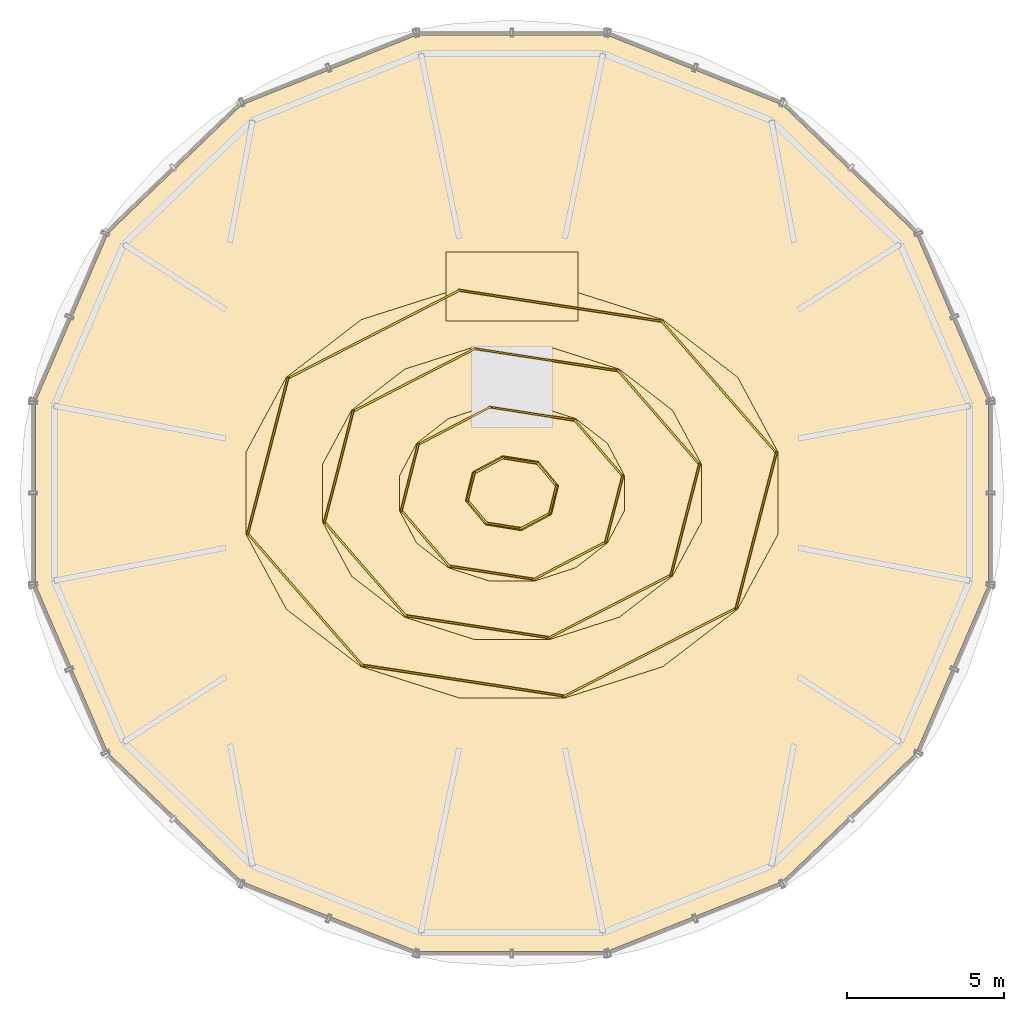
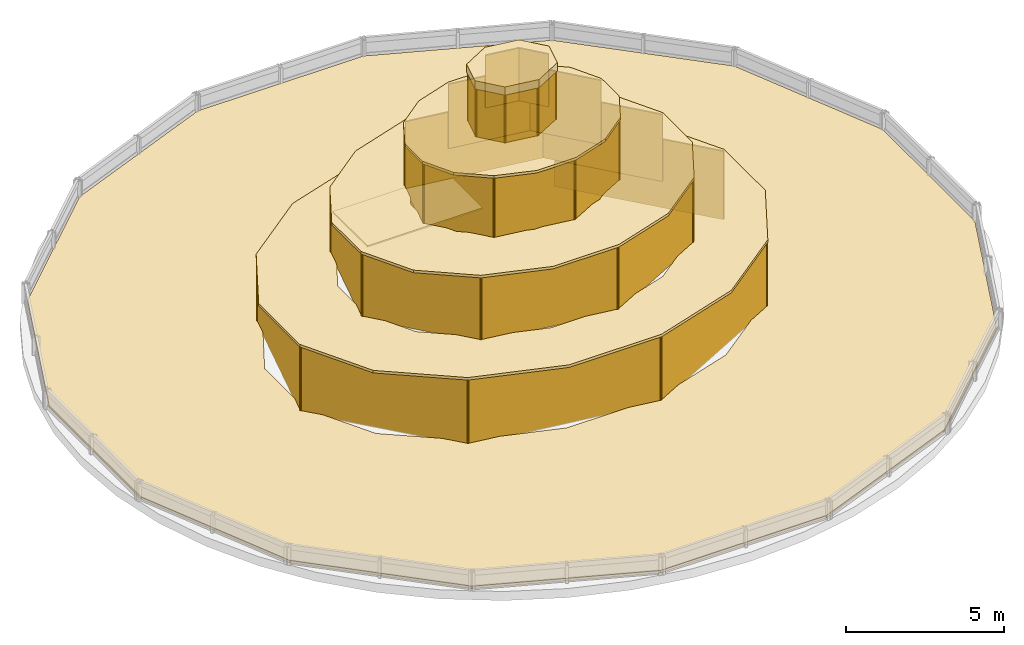
# One storey, part 8 of 8: 38 coverings.
"""IFC4 building model written with IfcOpenShell, lengths in metres."""

from ifc_helpers import new_model, si_unit, direction, frame, origin, origin_2d, place, context, subcontext, project, spatial, polyline, rectangle, outline, extrude, source, transform, mapped, material, layer, layer_set, type_object, element, save


model = new_model("IFC4")

# Units and contexts
model_context = context("Model", 3, precision=1e-05, world=origin(), true_north=direction((-0.2419218956, 0.970295726276)))
body_context = subcontext(model_context, "Body", "Model", "MODEL_VIEW")
ifc_project = project(units=[si_unit("LENGTHUNIT", "METRE"), si_unit("AREAUNIT", "SQUARE_METRE"), si_unit("VOLUMEUNIT", "CUBIC_METRE"), si_unit("PLANEANGLEUNIT", "RADIAN"), si_unit("MASSUNIT", "GRAM", prefix="KILO")], contexts=[model_context])

# Site, building, storey
site_placement = place(None, origin())
site = spatial("IfcSite", under=ifc_project, at=site_placement, CompositionType="ELEMENT")
building_placement = place(site_placement, origin())
building = spatial("IfcBuilding", under=site, at=building_placement, Name="Cobrevalo Terracotta Tower", CompositionType="ELEMENT")
storey_placement = place(building_placement, frame((0.0, 0.0, 337.300048828125)))
storey = spatial("IfcBuildingStorey", under=building, at=storey_placement, Name="RF", CompositionType="ELEMENT", Elevation=337.300048828125)

# Coverings
ifc_material_1 = material(Name="Structural laminated low-iron crown glass", Category="glass")
ifc_layer_1 = layer(ifc_material_1, 0.048095703125)
ifc_layer_set_1 = layer_set([ifc_layer_1], Name="Structural laminated low-iron crown glass")
covering_type_1 = type_object("IfcCoveringType", Name="Structural laminated low-iron faceted crown glass 48 mm", PredefinedType="CLADDING", material=ifc_layer_set_1)
covering_1_placement = place(storey_placement, frame((0.0, 0.0, -0.0400390625)))
element("IfcCovering", 1, at=covering_1_placement, inside=storey, type_object=covering_type_1, Name="RF faceted glass-point crown step collar T1", PredefinedType="CLADDING", context=body_context, shape_type="SweptSolid", body=[
    extrude(outline(polyline([(53.2119140625, 29.708740234375), (50.89599609375, 35.08349609375), (46.616943359375, 39.197265625), (41.02587890625, 41.423583984375), (34.97412109375, 41.423583984375), (29.383056640625, 39.197265625), (25.10400390625, 35.08349609375), (22.7880859375, 29.708740234375), (22.7880859375, 23.89111328125), (25.10400390625, 18.516357421875), (29.383056640625, 14.40283203125), (34.97412109375, 12.176513671875), (41.02587890625, 12.176513671875), (46.616943359375, 14.40283203125), (50.89599609375, 18.516357421875), (53.2119140625, 23.89111328125), (53.2119140625, 29.708740234375)]), holes=[polyline([(46.29736328125, 28.060302734375), (45.0341796875, 30.388916015625), (42.7001953125, 32.17138671875), (39.650390625, 33.135986328125), (36.349609375, 33.135986328125), (33.2998046875, 32.17138671875), (30.9658203125, 30.388916015625), (29.70263671875, 28.060302734375), (29.70263671875, 25.539794921875), (30.9658203125, 23.2109375), (33.2998046875, 21.4287109375), (36.349609375, 20.464111328125), (39.650390625, 20.464111328125), (42.7001953125, 21.4287109375), (45.0341796875, 23.2109375), (46.29736328125, 25.539794921875), (46.29736328125, 28.060302734375)])]), origin(), (0.0, 0.0, 1.0), 0.10009765625),
])
covering_2_placement = place(storey_placement, frame((0.0, 0.0, 2.52001953125)))
element("IfcCovering", 2, at=covering_2_placement, inside=storey, type_object=covering_type_1, Name="RF faceted glass-point crown step collar T2", PredefinedType="CLADDING", context=body_context, shape_type="SweptSolid", body=[
    extrude(outline(polyline([(46.49365234375, 28.099365234375), (45.200439453125, 30.5), (42.811279296875, 32.337646484375), (39.689453125, 33.33203125), (36.310546875, 33.33203125), (33.188720703125, 32.337646484375), (30.799560546875, 30.5), (29.50634765625, 28.099365234375), (29.50634765625, 25.500732421875), (30.799560546875, 23.099853515625), (33.188720703125, 21.262451171875), (36.310546875, 20.26806640625), (39.689453125, 20.26806640625), (42.811279296875, 21.262451171875), (45.200439453125, 23.099853515625), (46.49365234375, 25.500732421875), (46.49365234375, 28.099365234375)]), holes=[polyline([(43.845458984375, 27.689697265625), (42.95556640625, 29.33349609375), (41.311279296875, 30.591552734375), (39.162841796875, 31.2724609375), (36.837158203125, 31.2724609375), (34.688720703125, 30.591552734375), (33.04443359375, 29.33349609375), (32.154541015625, 27.689697265625), (32.154541015625, 25.910400390625), (33.04443359375, 24.2666015625), (34.688720703125, 23.008544921875), (36.837158203125, 22.32763671875), (39.162841796875, 22.32763671875), (41.311279296875, 23.008544921875), (42.95556640625, 24.2666015625), (43.845458984375, 25.910400390625), (43.845458984375, 27.689697265625)])]), origin(), (0.0, 0.0, 1.0), 0.099853515625),
])
covering_3_placement = place(storey_placement, frame((0.0, 0.0, 5.02001953125)))
element("IfcCovering", 3, at=covering_3_placement, inside=storey, type_object=covering_type_1, Name="RF faceted glass-point crown step collar T3", PredefinedType="CLADDING", context=body_context, shape_type="SweptSolid", body=[
    extrude(outline(polyline([(44.041748046875, 27.728515625), (43.121826171875, 29.444580078125), (41.42236328125, 30.7578125), (39.20166015625, 31.468505859375), (36.79833984375, 31.468505859375), (34.57763671875, 30.7578125), (32.878173828125, 29.444580078125), (31.958251953125, 27.728515625), (31.958251953125, 25.871337890625), (32.878173828125, 24.155517578125), (34.57763671875, 22.84228515625), (36.79833984375, 22.13134765625), (39.20166015625, 22.13134765625), (41.42236328125, 22.84228515625), (43.121826171875, 24.155517578125), (44.041748046875, 25.871337890625), (44.041748046875, 27.728515625)]), holes=[polyline([(41.3935546875, 27.31884765625), (40.876953125, 28.27783203125), (39.92236328125, 29.01171875), (38.675048828125, 29.408935546875), (37.324951171875, 29.408935546875), (36.07763671875, 29.01171875), (35.123046875, 28.27783203125), (34.6064453125, 27.31884765625), (34.6064453125, 26.281005859375), (35.123046875, 25.322265625), (36.07763671875, 24.58837890625), (37.324951171875, 24.191162109375), (38.675048828125, 24.191162109375), (39.92236328125, 24.58837890625), (40.876953125, 25.322265625), (41.3935546875, 26.281005859375), (41.3935546875, 27.31884765625)])]), origin(), (0.0, 0.0, 1.0), 0.099853515625),
])
covering_4_placement = place(storey_placement, frame((0.0, 0.0, 7.419921875)))
element("IfcCovering", 4, at=covering_4_placement, inside=storey, type_object=covering_type_1, Name="RF faceted glass-point crown step collar T4", PredefinedType="CLADDING", context=body_context, shape_type="SweptSolid", body=[
    extrude(outline(polyline([(41.589599609375, 27.35791015625), (41.043212890625, 28.388916015625), (40.033447265625, 29.177978515625), (38.714111328125, 29.60498046875), (37.285888671875, 29.60498046875), (35.966552734375, 29.177978515625), (34.956787109375, 28.388916015625), (34.410400390625, 27.35791015625), (34.410400390625, 26.241943359375), (34.956787109375, 25.211181640625), (35.966552734375, 24.421875), (37.285888671875, 23.994873046875), (38.714111328125, 23.994873046875), (40.033447265625, 24.421875), (41.043212890625, 25.211181640625), (41.589599609375, 26.241943359375), (41.589599609375, 27.35791015625)]), holes=[polyline([(39.284912109375, 26.9970703125), (39.089111328125, 27.361083984375), (38.727783203125, 27.639892578125), (38.255615234375, 27.79052734375), (37.744384765625, 27.79052734375), (37.272216796875, 27.639892578125), (36.910888671875, 27.361083984375), (36.715087890625, 26.9970703125), (36.715087890625, 26.60302734375), (36.910888671875, 26.23876953125), (37.272216796875, 25.960205078125), (37.744384765625, 25.809326171875), (38.255615234375, 25.809326171875), (38.727783203125, 25.960205078125), (39.089111328125, 26.23876953125), (39.284912109375, 26.60302734375), (39.284912109375, 26.9970703125)])]), origin(), (0.0, 0.0, 1.0), 0.10009765625),
])
covering_5_placement = place(storey_placement, frame((0.0, 0.0, 9.3798828125)))
element("IfcCovering", 5, at=covering_5_placement, inside=storey, type_object=covering_type_1, Name="RF closed glass-point crown apex cap (+347.00 m)", PredefinedType="CLADDING", context=body_context, shape_type="SweptSolid", body=[
    extrude(outline(polyline([(39.49072265625, 27.0380859375), (38.844482421875, 27.814453125), (37.703369140625, 27.99658203125), (36.736083984375, 27.477783203125), (36.50927734375, 26.56201171875), (37.155517578125, 25.78564453125), (38.296630859375, 25.603515625), (39.263916015625, 26.122314453125), (39.49072265625, 27.0380859375)])), origin(), (0.0, 0.0, 1.0), 0.320068359375),
])
ifc_material_2 = material(Name="Insulated TPO roof waterproofing membrane", Category="bitumen")
ifc_layer_2 = layer(ifc_material_2, 0.06005859375)
ifc_layer_set_2 = layer_set([ifc_layer_2], Name="Insulated TPO roof waterproofing membrane")
covering_type_2 = type_object("IfcCoveringType", Name="Insulated UV-reflective waterproof roof membrane 60 mm", PredefinedType="ROOFING", material=ifc_layer_set_2)
shared_shape_1 = source(origin(), body_context, "Body", "SweptSolid", [
    extrude(rectangle(XDim=4.199951171875, YDim=2.199951171875, at=origin_2d()), origin(), (0.0, 0.0, 1.0), 0.06005859375),
])
covering_6_placement = place(storey_placement, frame((38.0, 33.39990234375, 0.0), z_axis=(0.0, 0.0, 1.0), x_axis=(1.0, 0.0, 0.0)))
element("IfcCovering", 6, at=covering_6_placement, inside=storey, type_object=covering_type_2, Name="RF crown apex waterproofing membrane", PredefinedType="ROOFING", context=body_context, shape_type="MappedRepresentation", body=[
    mapped(shared_shape_1, transform((0.0, 0.0, 0.0), scale=1.0)),
])
shared_shape_2 = source(origin(), body_context, "Body", "SweptSolid", [
    extrude(rectangle(XDim=5.64892578125, YDim=0.06005859375, at=origin_2d()), origin(), (0.0, 0.0, 1.0), 2.639892578125),
])
for number, where, z_axis, x_axis, name in (
    (7, (44.6064453125, 30.187744140625, -0.0400390625), (0.0, 0.0, 1.0), (-0.656647625143, 0.754197518157, 0.0), "RF faceted glass-point crown panel T1-1"),
    (8, (31.3935546875, 23.412353515625, -0.0400390625), (0.0, 0.0, 1.0), (0.656647625143, -0.754197518157, 0.0), "RF faceted glass-point crown panel T1-5"),
):
    element("IfcCovering", number, at=place(storey_placement, frame(where, z_axis=z_axis, x_axis=x_axis)), inside=storey, type_object=covering_type_1, Name=name, PredefinedType="CLADDING", context=body_context, shape_type="MappedRepresentation", body=[
        mapped(shared_shape_2, transform((0.0, 0.0, 0.0), scale=1.0)),
    ])
shared_shape_3 = source(origin(), body_context, "Body", "SweptSolid", [
    extrude(rectangle(XDim=6.610595703125, YDim=0.06005859375, at=origin_2d()), origin(), (0.0, 0.0, 1.0), 2.639892578125),
])
for number, where, z_axis, x_axis, name in (
    (9, (39.550048828125, 32.780517578125, -0.0400390625), (0.0, 0.0, 1.0), (-0.988548206904, 0.150905409535, 0.0), "RF faceted glass-point crown panel T1-2"),
    (10, (36.449951171875, 20.819580078125, -0.0400390625), (0.0, 0.0, 1.0), (0.988548206904, -0.150905409535, 0.0), "RF faceted glass-point crown panel T1-6"),
):
    element("IfcCovering", number, at=place(storey_placement, frame(where, z_axis=z_axis, x_axis=x_axis)), inside=storey, type_object=covering_type_1, Name=name, PredefinedType="CLADDING", context=body_context, shape_type="MappedRepresentation", body=[
        mapped(shared_shape_3, transform((0.0, 0.0, 0.0), scale=1.0)),
    ])
shared_shape_4 = source(origin(), body_context, "Body", "SweptSolid", [
    extrude(rectangle(XDim=6.23046875, YDim=0.06005859375, at=origin_2d()), origin(), (0.0, 0.0, 1.0), 2.639892578125),
])
for number, where, z_axis, x_axis, name in (
    (11, (33.585693359375, 31.869873046875, -0.0400390625), (0.0, 0.0, 1.0), (-0.889829263094, -0.456293636315, 0.0), "RF faceted glass-point crown panel T1-3"),
    (12, (42.414306640625, 21.72998046875, -0.0400390625), (0.0, 0.0, 1.0), (0.889829263094, 0.456293636315, 0.0), "RF faceted glass-point crown panel T1-7"),
):
    element("IfcCovering", number, at=place(storey_placement, frame(where, z_axis=z_axis, x_axis=x_axis)), inside=storey, type_object=covering_type_1, Name=name, PredefinedType="CLADDING", context=body_context, shape_type="MappedRepresentation", body=[
        mapped(shared_shape_4, transform((0.0, 0.0, 0.0), scale=1.0)),
    ])
shared_shape_5 = source(origin(), body_context, "Body", "SweptSolid", [
    extrude(rectangle(XDim=5.197998046875, YDim=0.06005859375, at=origin_2d()), origin(), (0.0, 0.0, 1.0), 2.639892578125),
])
for number, where, z_axis, x_axis, name in (
    (13, (30.207275390625, 27.989501953125, -0.0400390625), (0.0, 0.0, 1.0), (-0.250898717162, -0.968013343775, 0.0), "RF faceted glass-point crown panel T1-4"),
    (14, (45.792724609375, 25.6103515625, -0.0400390625), (0.0, 0.0, 1.0), (0.250898717162, 0.968013343775, 0.0), "RF faceted glass-point crown panel T1-8"),
):
    element("IfcCovering", number, at=place(storey_placement, frame(where, z_axis=z_axis, x_axis=x_axis)), inside=storey, type_object=covering_type_1, Name=name, PredefinedType="CLADDING", context=body_context, shape_type="MappedRepresentation", body=[
        mapped(shared_shape_5, transform((0.0, 0.0, 0.0), scale=1.0)),
    ])
shared_shape_6 = source(origin(), body_context, "Body", "SweptSolid", [
    extrude(rectangle(XDim=4.0390625, YDim=0.06005859375, at=origin_2d()), origin(), (0.0, 0.0, 1.0), 2.580078125),
])
for number, where, z_axis, x_axis, name in (
    (15, (42.685791015625, 29.21240234375, 2.52001953125), (0.0, 0.0, 1.0), (-0.655165496939, 0.755485388092, 0.0), "RF faceted glass-point crown panel T2-1"),
    (16, (33.314208984375, 24.3876953125, 2.52001953125), (0.0, 0.0, 1.0), (0.655165496939, -0.755485388092, 0.0), "RF faceted glass-point crown panel T2-5"),
):
    element("IfcCovering", number, at=place(storey_placement, frame(where, z_axis=z_axis, x_axis=x_axis)), inside=storey, type_object=covering_type_1, Name=name, PredefinedType="CLADDING", context=body_context, shape_type="MappedRepresentation", body=[
        mapped(shared_shape_6, transform((0.0, 0.0, 0.0), scale=1.0)),
    ])
shared_shape_7 = source(origin(), body_context, "Body", "SweptSolid", [
    extrude(rectangle(XDim=4.71240234375, YDim=0.06005859375, at=origin_2d()), origin(), (0.0, 0.0, 1.0), 2.580078125),
])
for number, where, z_axis, x_axis, name in (
    (17, (39.099365234375, 31.058837890625, 2.52001953125), (0.0, 0.0, 1.0), (-0.988458483784, 0.151491999246, 0.0), "RF faceted glass-point crown panel T2-2"),
    (18, (36.900634765625, 22.541259765625, 2.52001953125), (0.0, 0.0, 1.0), (0.988458483784, -0.151491999246, 0.0), "RF faceted glass-point crown panel T2-6"),
):
    element("IfcCovering", number, at=place(storey_placement, frame(where, z_axis=z_axis, x_axis=x_axis)), inside=storey, type_object=covering_type_1, Name=name, PredefinedType="CLADDING", context=body_context, shape_type="MappedRepresentation", body=[
        mapped(shared_shape_7, transform((0.0, 0.0, 0.0), scale=1.0)),
    ])
shared_shape_8 = source(origin(), body_context, "Body", "SweptSolid", [
    extrude(rectangle(XDim=4.4462890625, YDim=0.06005859375, at=origin_2d()), origin(), (0.0, 0.0, 1.0), 2.580078125),
])
for number, where, z_axis, x_axis, name in (
    (19, (34.868896484375, 30.410400390625, 2.52001953125), (0.0, 0.0, 1.0), (-0.88909224875, -0.457728055959, 0.0), "RF faceted glass-point crown panel T2-3"),
    (20, (41.131103515625, 23.189453125, 2.52001953125), (0.0, 0.0, 1.0), (0.88909224875, 0.457728055959, 0.0), "RF faceted glass-point crown panel T2-7"),
):
    element("IfcCovering", number, at=place(storey_placement, frame(where, z_axis=z_axis, x_axis=x_axis)), inside=storey, type_object=covering_type_1, Name=name, PredefinedType="CLADDING", context=body_context, shape_type="MappedRepresentation", body=[
        mapped(shared_shape_8, transform((0.0, 0.0, 0.0), scale=1.0)),
    ])
shared_shape_9 = source(origin(), body_context, "Body", "SweptSolid", [
    extrude(rectangle(XDim=3.723876953125, YDim=0.06005859375, at=origin_2d()), origin(), (0.0, 0.0, 1.0), 2.580078125),
])
for number, where, z_axis, x_axis, name in (
    (21, (32.47265625, 27.647216796875, 2.52001953125), (0.0, 0.0, 1.0), (-0.249967685682, -0.968254179498, 0.0), "RF faceted glass-point crown panel T2-4"),
    (22, (43.52734375, 25.952880859375, 2.52001953125), (0.0, 0.0, 1.0), (0.249967685682, 0.968254179498, 0.0), "RF faceted glass-point crown panel T2-8"),
):
    element("IfcCovering", number, at=place(storey_placement, frame(where, z_axis=z_axis, x_axis=x_axis)), inside=storey, type_object=covering_type_1, Name=name, PredefinedType="CLADDING", context=body_context, shape_type="MappedRepresentation", body=[
        mapped(shared_shape_9, transform((0.0, 0.0, 0.0), scale=1.0)),
    ])
shared_shape_10 = source(origin(), body_context, "Body", "SweptSolid", [
    extrude(rectangle(XDim=2.42919921875, YDim=0.06005859375, at=origin_2d()), origin(), (0.0, 0.0, 1.0), 2.47998046875),
])
for number, where, z_axis, x_axis, name in (
    (23, (40.765380859375, 28.2373046875, 5.02001953125), (0.0, 0.0, 1.0), (-0.65164045982, 0.758527989678, 0.0), "RF faceted glass-point crown panel T3-1"),
    (24, (35.234619140625, 25.36279296875, 5.02001953125), (0.0, 0.0, 1.0), (0.65164045982, -0.758527989678, 0.0), "RF faceted glass-point crown panel T3-5"),
):
    element("IfcCovering", number, at=place(storey_placement, frame(where, z_axis=z_axis, x_axis=x_axis)), inside=storey, type_object=covering_type_1, Name=name, PredefinedType="CLADDING", context=body_context, shape_type="MappedRepresentation", body=[
        mapped(shared_shape_10, transform((0.0, 0.0, 0.0), scale=1.0)),
    ])
shared_shape_11 = source(origin(), body_context, "Body", "SweptSolid", [
    extrude(rectangle(XDim=2.814453125, YDim=0.06005859375, at=origin_2d()), origin(), (0.0, 0.0, 1.0), 2.47998046875),
])
for number, where, z_axis, x_axis, name in (
    (25, (38.64892578125, 29.337158203125, 5.02001953125), (0.0, 0.0, 1.0), (-0.988243062479, 0.152890972465, 0.0), "RF faceted glass-point crown panel T3-2"),
    (26, (37.35107421875, 24.262939453125, 5.02001953125), (0.0, 0.0, 1.0), (0.988243062479, -0.152890972465, 0.0), "RF faceted glass-point crown panel T3-6"),
):
    element("IfcCovering", number, at=place(storey_placement, frame(where, z_axis=z_axis, x_axis=x_axis)), inside=storey, type_object=covering_type_1, Name=name, PredefinedType="CLADDING", context=body_context, shape_type="MappedRepresentation", body=[
        mapped(shared_shape_11, transform((0.0, 0.0, 0.0), scale=1.0)),
    ])
shared_shape_12 = source(origin(), body_context, "Body", "SweptSolid", [
    extrude(rectangle(XDim=2.661865234375, YDim=0.06005859375, at=origin_2d()), origin(), (0.0, 0.0, 1.0), 2.47998046875),
])
for number, where, z_axis, x_axis, name in (
    (27, (36.152099609375, 28.950927734375, 5.02001953125), (0.0, 0.0, 1.0), (-0.887328149355, -0.461138542482, 0.0), "RF faceted glass-point crown panel T3-3"),
    (28, (39.847900390625, 24.649169921875, 5.02001953125), (0.0, 0.0, 1.0), (0.887328149355, 0.461138542482, 0.0), "RF faceted glass-point crown panel T3-7"),
):
    element("IfcCovering", number, at=place(storey_placement, frame(where, z_axis=z_axis, x_axis=x_axis)), inside=storey, type_object=covering_type_1, Name=name, PredefinedType="CLADDING", context=body_context, shape_type="MappedRepresentation", body=[
        mapped(shared_shape_12, transform((0.0, 0.0, 0.0), scale=1.0)),
    ])
shared_shape_13 = source(origin(), body_context, "Body", "SweptSolid", [
    extrude(rectangle(XDim=2.24951171875, YDim=0.06005859375, at=origin_2d()), origin(), (0.0, 0.0, 1.0), 2.47998046875),
])
for number, where, z_axis, x_axis, name in (
    (29, (34.738037109375, 27.3046875, 5.02001953125), (0.0, 0.0, 1.0), (-0.2477701451, -0.968818845397, 0.0), "RF faceted glass-point crown panel T3-4"),
    (30, (41.261962890625, 26.29541015625, 5.02001953125), (0.0, 0.0, 1.0), (0.2477701451, 0.968818845397, 0.0), "RF faceted glass-point crown panel T3-8"),
):
    element("IfcCovering", number, at=place(storey_placement, frame(where, z_axis=z_axis, x_axis=x_axis)), inside=storey, type_object=covering_type_1, Name=name, PredefinedType="CLADDING", context=body_context, shape_type="MappedRepresentation", body=[
        mapped(shared_shape_13, transform((0.0, 0.0, 0.0), scale=1.0)),
    ])
shared_shape_14 = source(origin(), body_context, "Body", "SweptSolid", [
    extrude(rectangle(XDim=1.036865234375, YDim=0.06005859375, at=origin_2d()), origin(), (0.0, 0.0, 1.0), 2.030029296875),
])
for number, where, z_axis, x_axis, name in (
    (31, (39.11376953125, 27.390380859375, 7.419921875), (0.0, 0.0, 1.0), (-0.644306511785, 0.764767362583, 0.0), "RF faceted glass-point crown panel T4-1"),
    (32, (36.88623046875, 26.209716796875, 7.419921875), (0.0, 0.0, 1.0), (0.644306511785, -0.764767362583, 0.0), "RF faceted glass-point crown panel T4-5"),
):
    element("IfcCovering", number, at=place(storey_placement, frame(where, z_axis=z_axis, x_axis=x_axis)), inside=storey, type_object=covering_type_1, Name=name, PredefinedType="CLADDING", context=body_context, shape_type="MappedRepresentation", body=[
        mapped(shared_shape_14, transform((0.0, 0.0, 0.0), scale=1.0)),
    ])
shared_shape_15 = source(origin(), body_context, "Body", "SweptSolid", [
    extrude(rectangle(XDim=1.181884765625, YDim=0.06005859375, at=origin_2d()), origin(), (0.0, 0.0, 1.0), 2.030029296875),
])
for number, where, z_axis, x_axis, name in (
    (33, (38.26123046875, 27.842041015625, 7.419921875), (0.0, 0.0, 1.0), (-0.987783716685, 0.155831091417, 0.0), "RF faceted glass-point crown panel T4-2"),
    (34, (37.73876953125, 25.758056640625, 7.419921875), (0.0, 0.0, 1.0), (0.987783716685, -0.155831091417, 0.0), "RF faceted glass-point crown panel T4-6"),
):
    element("IfcCovering", number, at=place(storey_placement, frame(where, z_axis=z_axis, x_axis=x_axis)), inside=storey, type_object=covering_type_1, Name=name, PredefinedType="CLADDING", context=body_context, shape_type="MappedRepresentation", body=[
        mapped(shared_shape_15, transform((0.0, 0.0, 0.0), scale=1.0)),
    ])
shared_shape_16 = source(origin(), body_context, "Body", "SweptSolid", [
    extrude(rectangle(XDim=1.124267578125, YDim=0.06005859375, at=origin_2d()), origin(), (0.0, 0.0, 1.0), 2.030029296875),
])
for number, where, z_axis, x_axis, name in (
    (35, (37.255859375, 27.683349609375, 7.419921875), (0.0, 0.0, 1.0), (-0.883596517256, -0.468249073351, 0.0), "RF faceted glass-point crown panel T4-3"),
    (36, (38.744140625, 25.91650390625, 7.419921875), (0.0, 0.0, 1.0), (0.883596517256, 0.46824907335, 0.0), "RF faceted glass-point crown panel T4-7"),
):
    element("IfcCovering", number, at=place(storey_placement, frame(where, z_axis=z_axis, x_axis=x_axis)), inside=storey, type_object=covering_type_1, Name=name, PredefinedType="CLADDING", context=body_context, shape_type="MappedRepresentation", body=[
        mapped(shared_shape_16, transform((0.0, 0.0, 0.0), scale=1.0)),
    ])
shared_shape_17 = source(origin(), body_context, "Body", "SweptSolid", [
    extrude(rectangle(XDim=0.969970703125, YDim=0.06005859375, at=origin_2d()), origin(), (0.0, 0.0, 1.0), 2.030029296875),
])
for number, where, z_axis, x_axis, name in (
    (37, (36.68603515625, 27.00732421875, 7.419921875), (0.0, 0.0, 1.0), (-0.24326798327, -0.969959116827, 0.0), "RF faceted glass-point crown panel T4-4"),
    (38, (39.31396484375, 26.5927734375, 7.419921875), (0.0, 0.0, 1.0), (0.24326798327, 0.969959116827, 0.0), "RF faceted glass-point crown panel T4-8"),
):
    element("IfcCovering", number, at=place(storey_placement, frame(where, z_axis=z_axis, x_axis=x_axis)), inside=storey, type_object=covering_type_1, Name=name, PredefinedType="CLADDING", context=body_context, shape_type="MappedRepresentation", body=[
        mapped(shared_shape_17, transform((0.0, 0.0, 0.0), scale=1.0)),
    ])

save(model, "model.ifc")
